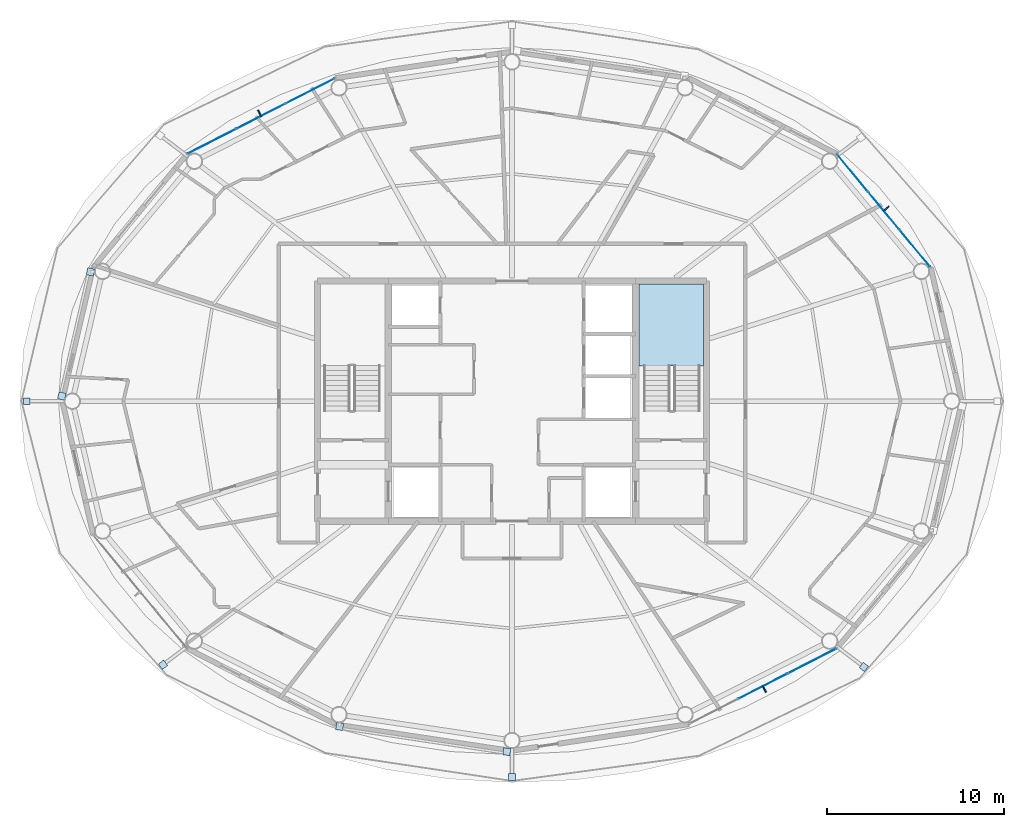
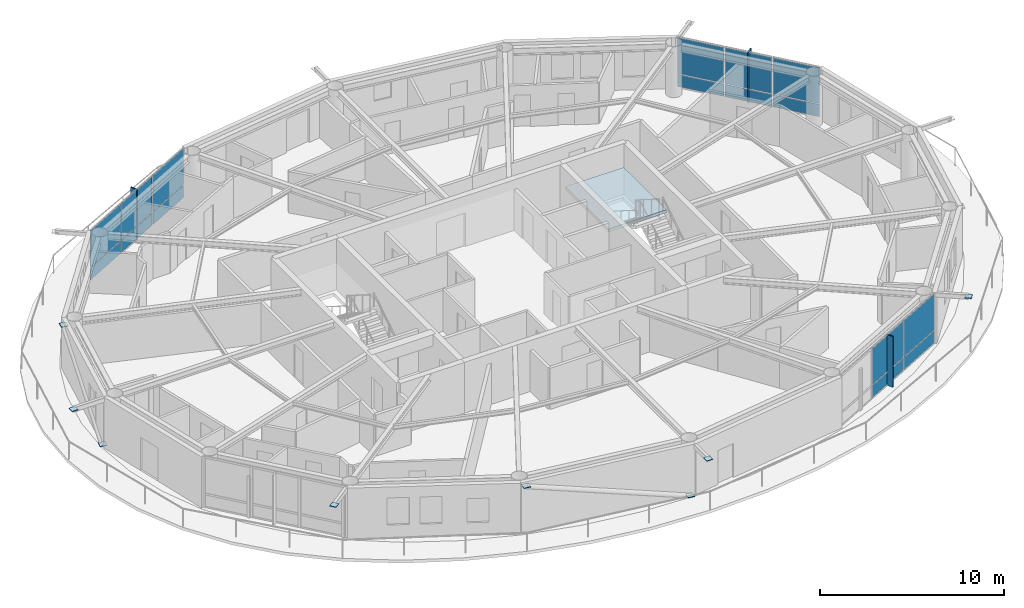
# One storey, part 14 of 22: 27 plates, 1 slab, 4 elements without a shape of their own.
"""IFC4 building model written with IfcOpenShell, lengths in metres."""

from ifc_helpers import new_model, si_unit, direction, frame, origin, origin_2d, place, context, subcontext, project, spatial, polyline, rectangle, outline, extrude, material, layer, layer_set, type_object, element, aggregate, save


model = new_model("IFC4")

# Units and contexts
model_context = context("Model", 3, precision=1e-05, world=origin(), true_north=direction((0.0, 1.0)))
body_context = subcontext(model_context, "Body", "Model", "MODEL_VIEW")
ifc_project = project(units=[si_unit("LENGTHUNIT", "METRE"), si_unit("AREAUNIT", "SQUARE_METRE"), si_unit("VOLUMEUNIT", "CUBIC_METRE"), si_unit("PLANEANGLEUNIT", "RADIAN"), si_unit("MASSUNIT", "GRAM", prefix="KILO")], contexts=[model_context])

# Site, building, storey
site_placement = place(None, origin())
site = spatial("IfcSite", under=ifc_project, at=site_placement, CompositionType="ELEMENT")
building_placement = place(site_placement, origin())
building = spatial("IfcBuilding", under=site, at=building_placement, Name="Sarneth Arch Tower", CompositionType="ELEMENT")
storey_placement = place(building_placement, frame((0.0, 0.0, 291.0)))
storey = spatial("IfcBuildingStorey", under=building, at=storey_placement, Name="L75", CompositionType="ELEMENT", Elevation=291.0)

# Curtain wall, plates
ifc_material_1 = material(Name="Anodised aluminium Type AA25 and solar-control low-e laminated IGU", Category="aluminium")
ifc_layer_1 = layer(ifc_material_1, 0.179931640625)
ifc_layer_set_1 = layer_set([ifc_layer_1], Name="Anodised aluminium Type AA25 and solar-control low-e laminated IGU")
curtain_wall_type = type_object("IfcCurtainWallType", Name="CW-RES-HIGH", PredefinedType="NOTDEFINED", material=ifc_layer_set_1)
curtain_wall_1_placement = place(storey_placement, origin())
curtain_wall_1 = element("IfcCurtainWall", 1, at=curtain_wall_1_placement, inside=storey, type_object=curtain_wall_type, Name="L75 Unitised curtain wall facet 02", PredefinedType="NOTDEFINED")
ifc_material_2 = material(Name="Solar-control low-e laminated IGU", Category="glass")
ifc_layer_2 = layer(ifc_material_2, 0.028076171875)
ifc_layer_set_2 = layer_set([ifc_layer_2], Name="Solar-control low-e laminated IGU")
plate_type_1 = type_object("IfcPlateType", Name="CW-PANEL", PredefinedType="CURTAIN_PANEL", material=ifc_layer_set_2)
plate_1_placement = place(storey_placement, frame((70.799072265625, 50.650634765625, 0.06005859375), z_axis=(0.0, 0.0, 1.0), x_axis=(-0.637610094184, 0.770359245933, 0.0)))
plate_1 = element("IfcPlate", 2, at=plate_1_placement, type_object=plate_type_1, Name="Curtain wall glazed vision pane CW-L75-F02/P00-00", PredefinedType="CURTAIN_PANEL", context=body_context, shape_type="SweptSolid", body=[
    extrude(rectangle(XDim=2.686767578125, YDim=0.028076171875, at=origin_2d()), origin(), (0.0, 0.0, 1.0), 0.81005859375),
])
plate_2_placement = place(storey_placement, frame((70.799072265625, 50.650634765625, 0.93017578125), z_axis=(0.0, 0.0, 1.0), x_axis=(-0.637610094184, 0.770359245933, 0.0)))
plate_2 = element("IfcPlate", 3, at=plate_2_placement, type_object=plate_type_1, Name="Curtain wall glazed vision pane CW-L75-F02/P00-01", PredefinedType="CURTAIN_PANEL", context=body_context, shape_type="SweptSolid", body=[
    extrude(rectangle(XDim=2.686767578125, YDim=0.028076171875, at=origin_2d()), origin(), (0.0, 0.0, 1.0), 2.3798828125),
])
plate_3_placement = place(storey_placement, frame((69.0380859375, 52.778076171875, 0.06005859375), z_axis=(0.0, 0.0, 1.0), x_axis=(-0.637610094184, 0.770359245933, 0.0)))
plate_3 = element("IfcPlate", 4, at=plate_3_placement, type_object=plate_type_1, Name="Curtain wall glazed vision pane CW-L75-F02/P01-00", PredefinedType="CURTAIN_PANEL", context=body_context, shape_type="SweptSolid", body=[
    extrude(rectangle(XDim=2.716552734375, YDim=0.028076171875, at=origin_2d()), origin(), (0.0, 0.0, 1.0), 0.81005859375),
])
plate_4_placement = place(storey_placement, frame((69.0380859375, 52.778076171875, 0.93017578125), z_axis=(0.0, 0.0, 1.0), x_axis=(-0.637610094184, 0.770359245933, 0.0)))
plate_4 = element("IfcPlate", 5, at=plate_4_placement, type_object=plate_type_1, Name="Curtain wall glazed vision pane CW-L75-F02/P01-01", PredefinedType="CURTAIN_PANEL", context=body_context, shape_type="SweptSolid", body=[
    extrude(rectangle(XDim=2.716552734375, YDim=0.028076171875, at=origin_2d()), origin(), (0.0, 0.0, 1.0), 2.3798828125),
])
plate_5_placement = place(storey_placement, frame((67.27734375, 54.905517578125, 0.06005859375), z_axis=(0.0, 0.0, 1.0), x_axis=(-0.637610094184, 0.770359245933, 0.0)))
plate_5 = element("IfcPlate", 6, at=plate_5_placement, type_object=plate_type_1, Name="Curtain wall glazed vision pane CW-L75-F02/P02-00", PredefinedType="CURTAIN_PANEL", context=body_context, shape_type="SweptSolid", body=[
    extrude(rectangle(XDim=2.686767578125, YDim=0.028076171875, at=origin_2d()), origin(), (0.0, 0.0, 1.0), 0.81005859375),
])
plate_6_placement = place(storey_placement, frame((67.27734375, 54.905517578125, 0.93017578125), z_axis=(0.0, 0.0, 1.0), x_axis=(-0.637610094184, 0.770359245933, 0.0)))
plate_6 = element("IfcPlate", 7, at=plate_6_placement, type_object=plate_type_1, Name="Curtain wall glazed vision pane CW-L75-F02/P02-01", PredefinedType="CURTAIN_PANEL", context=body_context, shape_type="SweptSolid", body=[
    extrude(rectangle(XDim=2.686767578125, YDim=0.028076171875, at=origin_2d()), origin(), (0.0, 0.0, 1.0), 2.3798828125),
])
aggregate(curtain_wall_1, [plate_1, plate_2, plate_3, plate_4, plate_5, plate_6])

curtain_wall_2_placement = place(storey_placement, origin())
curtain_wall_2 = element("IfcCurtainWall", 8, at=curtain_wall_2_placement, inside=storey, type_object=curtain_wall_type, Name="L75 Unitised curtain wall facet 06", PredefinedType="NOTDEFINED")
plate_7_placement = place(storey_placement, frame((36.5791015625, 59.552978515625, 0.06005859375), z_axis=(0.0, 0.0, 1.0), x_axis=(-0.890009540525, -0.455941901753, 0.0)))
plate_7 = element("IfcPlate", 9, at=plate_7_placement, type_object=plate_type_1, Name="Curtain wall glazed vision pane CW-L75-F06/P00-00", PredefinedType="CURTAIN_PANEL", context=body_context, shape_type="SweptSolid", body=[
    extrude(rectangle(XDim=3.044677734375, YDim=0.028076171875, at=origin_2d()), origin(), (0.0, 0.0, 1.0), 0.81005859375),
])
plate_8_placement = place(storey_placement, frame((36.5791015625, 59.552978515625, 0.93017578125), z_axis=(0.0, 0.0, 1.0), x_axis=(-0.890009540525, -0.455941901753, 0.0)))
plate_8 = element("IfcPlate", 10, at=plate_8_placement, type_object=plate_type_1, Name="Curtain wall glazed vision pane CW-L75-F06/P00-01", PredefinedType="CURTAIN_PANEL", context=body_context, shape_type="SweptSolid", body=[
    extrude(rectangle(XDim=3.044677734375, YDim=0.028076171875, at=origin_2d()), origin(), (0.0, 0.0, 1.0), 2.3798828125),
])
plate_9_placement = place(storey_placement, frame((33.802490234375, 58.13037109375, 0.06005859375), z_axis=(0.0, 0.0, 1.0), x_axis=(-0.890009540525, -0.455941901753, 0.0)))
plate_9 = element("IfcPlate", 11, at=plate_9_placement, type_object=plate_type_1, Name="Curtain wall glazed vision pane CW-L75-F06/P01-00", PredefinedType="CURTAIN_PANEL", context=body_context, shape_type="SweptSolid", body=[
    extrude(rectangle(XDim=3.07470703125, YDim=0.028076171875, at=origin_2d()), origin(), (0.0, 0.0, 1.0), 0.81005859375),
])
plate_10_placement = place(storey_placement, frame((33.802490234375, 58.13037109375, 0.93017578125), z_axis=(0.0, 0.0, 1.0), x_axis=(-0.890009540525, -0.455941901753, 0.0)))
plate_10 = element("IfcPlate", 12, at=plate_10_placement, type_object=plate_type_1, Name="Curtain wall glazed vision pane CW-L75-F06/P01-01", PredefinedType="CURTAIN_PANEL", context=body_context, shape_type="SweptSolid", body=[
    extrude(rectangle(XDim=3.07470703125, YDim=0.028076171875, at=origin_2d()), origin(), (0.0, 0.0, 1.0), 2.3798828125),
])
plate_11_placement = place(storey_placement, frame((31.02587890625, 56.7080078125, 0.06005859375), z_axis=(0.0, 0.0, 1.0), x_axis=(-0.890009540525, -0.455941901753, 0.0)))
plate_11 = element("IfcPlate", 13, at=plate_11_placement, type_object=plate_type_1, Name="Curtain wall glazed vision pane CW-L75-F06/P02-00", PredefinedType="CURTAIN_PANEL", context=body_context, shape_type="SweptSolid", body=[
    extrude(rectangle(XDim=3.044677734375, YDim=0.028076171875, at=origin_2d()), origin(), (0.0, 0.0, 1.0), 0.81005859375),
])
plate_12_placement = place(storey_placement, frame((31.02587890625, 56.7080078125, 0.93017578125), z_axis=(0.0, 0.0, 1.0), x_axis=(-0.890009540525, -0.455941901753, 0.0)))
plate_12 = element("IfcPlate", 14, at=plate_12_placement, type_object=plate_type_1, Name="Curtain wall glazed vision pane CW-L75-F06/P02-01", PredefinedType="CURTAIN_PANEL", context=body_context, shape_type="SweptSolid", body=[
    extrude(rectangle(XDim=3.044677734375, YDim=0.028076171875, at=origin_2d()), origin(), (0.0, 0.0, 1.0), 2.3798828125),
])
aggregate(curtain_wall_2, [plate_7, plate_8, plate_9, plate_10, plate_11, plate_12])

curtain_wall_3_placement = place(storey_placement, origin())
curtain_wall_3 = element("IfcCurtainWall", 15, at=curtain_wall_3_placement, inside=storey, type_object=curtain_wall_type, Name="L75 Unitised curtain wall facet 14", PredefinedType="NOTDEFINED")
plate_13_placement = place(storey_placement, frame((62.197509765625, 25.86962890625, 0.06005859375), z_axis=(0.0, 0.0, 1.0), x_axis=(0.890009540525, 0.455941901753, 0.0)))
plate_13 = element("IfcPlate", 16, at=plate_13_placement, type_object=plate_type_1, Name="Curtain wall glazed vision pane CW-L75-F14/P01-00", PredefinedType="CURTAIN_PANEL", context=body_context, shape_type="SweptSolid", body=[
    extrude(rectangle(XDim=3.07470703125, YDim=0.028076171875, at=origin_2d()), origin(), (0.0, 0.0, 1.0), 0.81005859375),
])
plate_14_placement = place(storey_placement, frame((62.197509765625, 25.86962890625, 0.93017578125), z_axis=(0.0, 0.0, 1.0), x_axis=(0.890009540525, 0.455941901753, 0.0)))
plate_14 = element("IfcPlate", 17, at=plate_14_placement, type_object=plate_type_1, Name="Curtain wall glazed vision pane CW-L75-F14/P01-01", PredefinedType="CURTAIN_PANEL", context=body_context, shape_type="SweptSolid", body=[
    extrude(rectangle(XDim=3.07470703125, YDim=0.028076171875, at=origin_2d()), origin(), (0.0, 0.0, 1.0), 2.3798828125),
])
plate_15_placement = place(storey_placement, frame((64.97412109375, 27.2919921875, 0.06005859375), z_axis=(0.0, 0.0, 1.0), x_axis=(0.890009540525, 0.455941901753, 0.0)))
plate_15 = element("IfcPlate", 18, at=plate_15_placement, type_object=plate_type_1, Name="Curtain wall glazed vision pane CW-L75-F14/P02-00", PredefinedType="CURTAIN_PANEL", context=body_context, shape_type="SweptSolid", body=[
    extrude(rectangle(XDim=3.044677734375, YDim=0.028076171875, at=origin_2d()), origin(), (0.0, 0.0, 1.0), 0.81005859375),
])
plate_16_placement = place(storey_placement, frame((64.97412109375, 27.2919921875, 0.93017578125), z_axis=(0.0, 0.0, 1.0), x_axis=(0.890009540525, 0.455941901753, 0.0)))
plate_16 = element("IfcPlate", 19, at=plate_16_placement, type_object=plate_type_1, Name="Curtain wall glazed vision pane CW-L75-F14/P02-01", PredefinedType="CURTAIN_PANEL", context=body_context, shape_type="SweptSolid", body=[
    extrude(rectangle(XDim=3.044677734375, YDim=0.028076171875, at=origin_2d()), origin(), (0.0, 0.0, 1.0), 2.3798828125),
])
aggregate(curtain_wall_3, [plate_13, plate_14, plate_15, plate_16])

# Plates
ifc_material_3 = material(Name="Steel S355", Category="steel")
ifc_layer_3 = layer(ifc_material_3, 0.035888671875)
ifc_layer_set_3 = layer_set([ifc_layer_3], Name="Steel S355")
plate_type_2 = type_object("IfcPlateType", Name="PLT-GUSSET-30", PredefinedType="SHEET", material=ifc_layer_set_3)
for number, where, z_axis, x_axis, name in (
    (20, (22.5234375, 42.292236328125, 0.001953125), (0.0, 0.0, 1.0), (-0.225461202458, -0.974252147129, 0.0), "Steel end cap plate GP-1"),
    (21, (24.148193359375, 49.3154296875, 3.07421875), (0.0, 0.0, 1.0), (-0.225461202458, -0.974252147129, 0.0), "Steel end cap plate GP-1"),
):
    element("IfcPlate", number, at=place(storey_placement, frame(where, z_axis=z_axis, x_axis=x_axis)), inside=storey, type_object=plate_type_2, Name=name, PredefinedType="SHEET", context=body_context, shape_type="SweptSolid", body=[
        extrude(rectangle(XDim=0.404052734375, YDim=0.404052734375, at=origin_2d()), origin(), (0.0, 0.0, 1.0), 0.035888671875),
    ])
for number, where, z_axis, x_axis, name in (
    (22, (20.536865234375, 42.0, 3.19189453125), (0.0, 0.0, 1.0), (-1.0, 0.0, 0.0), "Steel end cap plate GP-1"),
    (23, (28.251708984375, 27.08447265625, 3.19189453125), (0.0, 0.0, 1.0), (-0.798004853043, -0.602651022168, 0.0), "Steel end cap plate GP-1"),
):
    element("IfcPlate", number, at=place(storey_placement, frame(where, z_axis=z_axis, x_axis=x_axis)), inside=storey, type_object=plate_type_2, Name=name, PredefinedType="SHEET", context=body_context, shape_type="SweptSolid", body=[
        extrude(rectangle(XDim=0.3798828125, YDim=0.3798828125, at=origin_2d()), origin(), (0.0, 0.0, 1.0), 0.035888671875),
    ])
for number, where, z_axis, x_axis, name in (
    (24, (47.703369140625, 22.16455078125, 0.001953125), (0.0, 0.0, 1.0), (0.988860535448, -0.148845024885, 0.0), "Steel end cap plate GP-1"),
    (25, (38.245849609375, 23.588623046875, 3.07421875), (0.0, 0.0, 1.0), (0.988860535448, -0.148845024885, 0.0), "Steel end cap plate GP-1"),
):
    element("IfcPlate", number, at=place(storey_placement, frame(where, z_axis=z_axis, x_axis=x_axis)), inside=storey, type_object=plate_type_2, Name=name, PredefinedType="SHEET", context=body_context, shape_type="SweptSolid", body=[
        extrude(rectangle(XDim=0.404052734375, YDim=0.404052734375, at=origin_2d()), origin(), (0.0, 0.0, 1.0), 0.035888671875),
    ])
for number, where, z_axis, x_axis, name in (
    (26, (48.0, 20.72998046875, 3.19189453125), (0.0, 0.0, 1.0), (0.0, -1.0, 0.0), "Steel end cap plate GP-1"),
    (27, (67.91259765625, 26.960205078125, 3.19189453125), (0.0, 0.0, 1.0), (0.798004853043, -0.602651022168, 0.0), "Steel end cap plate GP-1"),
):
    element("IfcPlate", number, at=place(storey_placement, frame(where, z_axis=z_axis, x_axis=x_axis)), inside=storey, type_object=plate_type_2, Name=name, PredefinedType="SHEET", context=body_context, shape_type="SweptSolid", body=[
        extrude(rectangle(XDim=0.3798828125, YDim=0.3798828125, at=origin_2d()), origin(), (0.0, 0.0, 1.0), 0.035888671875),
    ])
ifc_material_4 = material(Name="Extruded glazed terracotta baguette fin on Aluminium 6063-T6 carrier", Category="masonry")
ifc_layer_4 = layer(ifc_material_4, 0.080078125)
ifc_layer_set_4 = layer_set([ifc_layer_4], Name="Extruded glazed terracotta baguette fin on Aluminium 6063-T6 carrier")
plate_type_3 = type_object("IfcPlateType", Name="SHADE-TERRA-FIN", PredefinedType="SHEET", material=ifc_layer_set_4)
for number, where, z_axis, x_axis, name in (
    (28, (69.169189453125, 52.886474609375, 0.010009765625), (0.0, 0.0, 1.0), (0.770401979567, 0.63755845997, 0.0), "L75 Terracotta vertical shading fin 02"),
    (29, (33.724853515625, 58.28173828125, 0.010009765625), (0.0, 0.0, 1.0), (-0.456010959102, 0.889974159838, 0.0), "L75 Terracotta vertical shading fin 06"),
    (30, (62.275146484375, 25.71826171875, 0.010009765625), (0.0, 0.0, 1.0), (0.456010959102, -0.889974159838, 0.0), "L75 Terracotta vertical shading fin 14"),
):
    element("IfcPlate", number, at=place(storey_placement, frame(where, z_axis=z_axis, x_axis=x_axis)), inside=storey, type_object=plate_type_3, Name=name, PredefinedType="SHEET", context=body_context, shape_type="SweptSolid", body=[
        extrude(rectangle(XDim=0.419921875, YDim=0.080078125, at=origin_2d()), origin(), (0.0, 0.0, 1.0), 3.35009765625),
    ])

# Stair, slab
ifc_material_5 = material(Name="Concrete C50/60", Category="concrete")
stair_type = type_object("IfcStairType", Name="STAIR-CORE-RC", PredefinedType="HALF_TURN_STAIR", material=ifc_material_5)
stair_placement = place(storey_placement, origin())
stair = element("IfcStair", 31, at=stair_placement, inside=storey, type_object=stair_type, Name="L75 Core Exit Stair 2", PredefinedType="HALF_TURN_STAIR")
ifc_material_6 = material(Name="Concrete C50/60", Category="concrete")
ifc_layer_5 = layer(ifc_material_6, 0.199951171875)
ifc_layer_set_5 = layer_set([ifc_layer_5], Name="Concrete C50/60")
slab_type = type_object("IfcSlabType", Name="SLAB-LANDING-200", PredefinedType="LANDING", material=ifc_layer_set_5)
slab_placement = place(storey_placement, frame((0.0, 0.0, 1.60009765625)))
slab = element("IfcSlab", 32, at=slab_placement, type_object=slab_type, Name="ST-2 landing 1", PredefinedType="LANDING", context=body_context, shape_type="SweptSolid", body=[
    extrude(outline(polyline([(55.175048828125, 43.985107421875), (58.824951171875, 43.985107421875), (58.824951171875, 48.625), (55.175048828125, 48.625), (55.175048828125, 43.985107421875)])), origin(), (0.0, 0.0, 1.0), 0.199951171875),
])
aggregate(stair, [slab])

save(model, "model.ifc")
